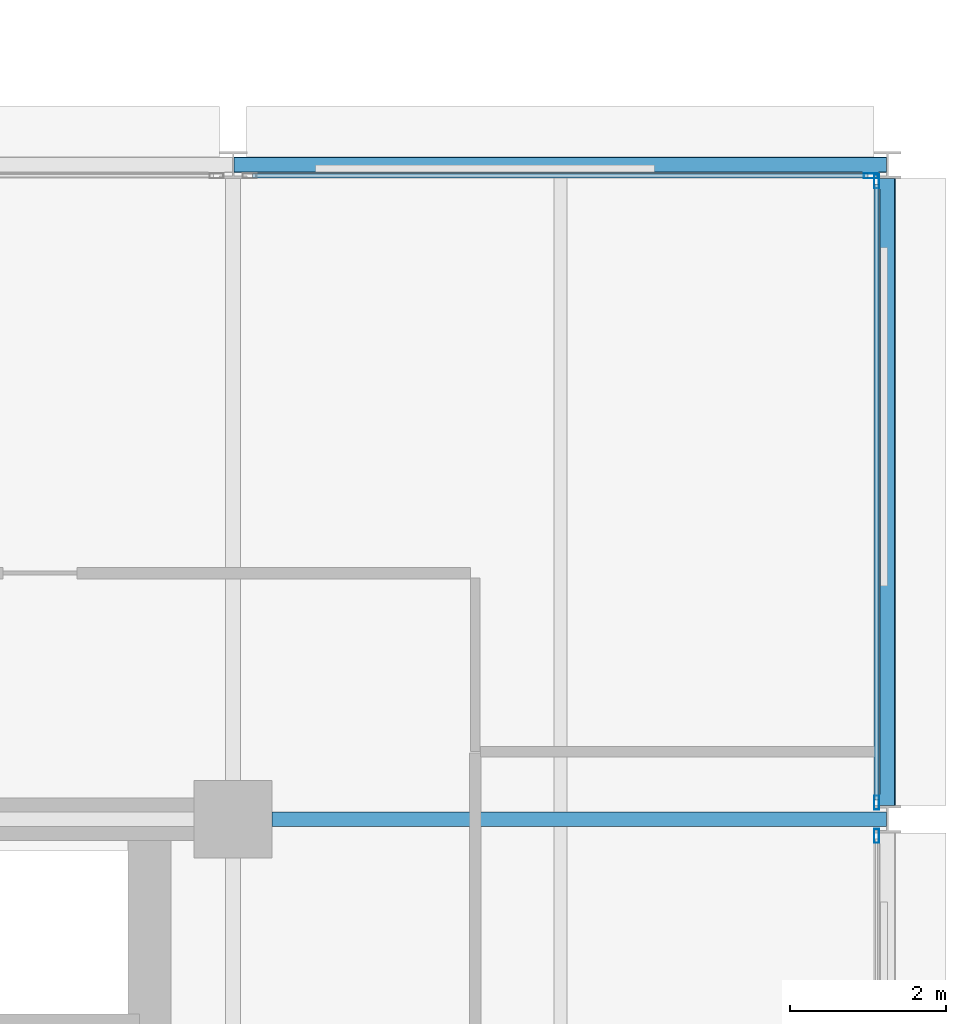
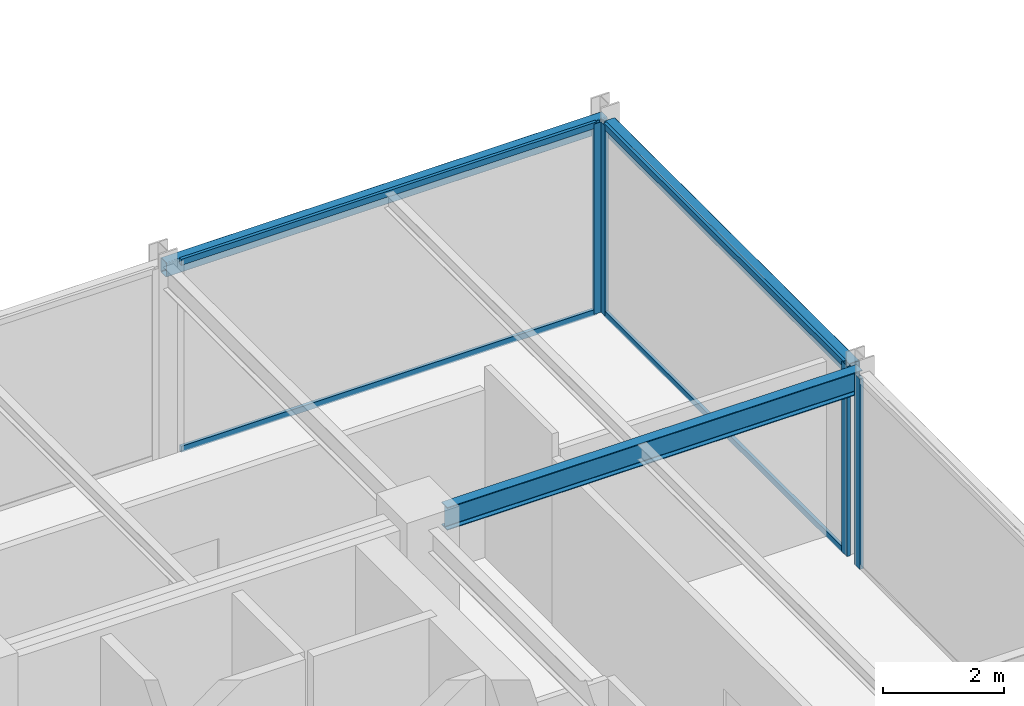
# One storey, part 16 of 29: 8 members, 3 beams, 3 elements without a shape of their own.
"""IFC4 building model written with IfcOpenShell, lengths in metres."""

from ifc_helpers import new_model, si_unit, direction, frame, origin, origin_2d, place, context, subcontext, project, spatial, hollow_rectangle, i_section, extrude, material, layer, layer_set, material_profile, profile_set, type_object, element, aggregate, save


model = new_model("IFC4")

# Units and contexts
model_context = context("Model", 3, precision=1e-05, world=origin(), true_north=direction((0.0, 1.0)))
body_context = subcontext(model_context, "Body", "Model", "MODEL_VIEW")
ifc_project = project(units=[si_unit("LENGTHUNIT", "METRE"), si_unit("AREAUNIT", "SQUARE_METRE"), si_unit("VOLUMEUNIT", "CUBIC_METRE"), si_unit("PLANEANGLEUNIT", "RADIAN"), si_unit("MASSUNIT", "GRAM", prefix="KILO")], contexts=[model_context])

# Site, building, storey
site_placement = place(None, origin())
site = spatial("IfcSite", under=ifc_project, at=site_placement, CompositionType="ELEMENT")
building_placement = place(site_placement, origin())
building = spatial("IfcBuilding", under=site, at=building_placement, Name="Nerrivon Quay Data Exchange", CompositionType="ELEMENT")
storey_placement = place(building_placement, frame((0.0, 0.0, 204.199951171875)))
storey = spatial("IfcBuildingStorey", under=building, at=storey_placement, Name="L48", CompositionType="ELEMENT", Elevation=204.199951171875)

# Beams
ifc_material_1 = material(Name="Steel Grade 350", Category="steel")
ifc_material_profile_1 = material_profile(ifc_material_1, i_section(OverallWidth=0.19091796875, OverallDepth=0.4599609375, WebThickness=0.010009765625, FlangeThickness=0.01611328125, FilletRadius=0.011474609375, at=origin_2d()), Name="460UB82.1")
ifc_profile_set_1 = profile_set([ifc_material_profile_1], Name="Steel Grade 350")
beam_type_1 = type_object("IfcBeamType", Name="BM-G5-460UB82", PredefinedType="BEAM", material=ifc_profile_set_1)
beam_1_placement = place(storey_placement, frame((34.10009765625, 16.800048828125, 3.594970703125), z_axis=(1.0, 0.0, 0.0), x_axis=(0.0, 1.0, 0.0)))
element("IfcBeam", 1, at=beam_1_placement, inside=storey, type_object=beam_type_1, Name="L48 EW Girder Y=16.8 (33.6..42.0)", PredefinedType="BEAM", context=body_context, shape_type="SweptSolid", body=[
    extrude(i_section(OverallWidth=0.19091796875, OverallDepth=0.4599609375, WebThickness=0.010009765625, FlangeThickness=0.01611328125, FilletRadius=0.011474609375, at=origin_2d()), origin(), (0.0, 0.0, 1.0), 7.889892578125),
])
ifc_material_2 = material(Name="Steel Grade C350L0 (350 MPa)", Category="steel")
ifc_material_profile_2 = material_profile(ifc_material_2, hollow_rectangle(XDim=0.199951171875, YDim=0.300048828125, WallThickness=0.012451171875, InnerFilletRadius=0.018798828125, OuterFilletRadius=0.03125, at=origin_2d()), Name="300x200x12.5RHS")
ifc_profile_set_2 = profile_set([ifc_material_profile_2], Name="Steel Grade C350L0 (350 MPa)")
beam_type_2 = type_object("IfcBeamType", Name="BM-SP3-300x200RHS", PredefinedType="SPANDREL", material=ifc_profile_set_2)
beam_2_placement = place(storey_placement, frame((33.610107421875, 25.199951171875, 3.675048828125), z_axis=(1.0, 0.0, 0.0), x_axis=(0.0, 1.0, 0.0)))
element("IfcBeam", 2, at=beam_2_placement, inside=storey, type_object=beam_type_2, Name="L48 EW Girder Y=25.2 (33.6..42.0)", PredefinedType="SPANDREL", context=body_context, shape_type="SweptSolid", body=[
    extrude(hollow_rectangle(XDim=0.199951171875, YDim=0.300048828125, WallThickness=0.012451171875, InnerFilletRadius=0.018798828125, OuterFilletRadius=0.03125, at=origin_2d()), origin(), (0.0, 0.0, 1.0), 8.3798828125),
])
beam_3_placement = place(storey_placement, frame((42.0, 16.97509765625, 3.675048828125), z_axis=(0.0, 1.0, 0.0), x_axis=(-1.0, 0.0, 0.0)))
element("IfcBeam", 3, at=beam_3_placement, inside=storey, type_object=beam_type_2, Name="L48 NS Girder X=42.0 (16.8..25.2)", PredefinedType="SPANDREL", context=body_context, shape_type="SweptSolid", body=[
    extrude(hollow_rectangle(XDim=0.199951171875, YDim=0.300048828125, WallThickness=0.012451171875, InnerFilletRadius=0.018798828125, OuterFilletRadius=0.03125, at=origin_2d()), origin(), (0.0, 0.0, 1.0), 8.0498046875),
])

# Curtain wall, member
ifc_material_3 = material(Name="Anodised aluminium 6063-T6", Category="aluminium")
ifc_layer = layer(ifc_material_3, 0.195068359375)
ifc_layer_set = layer_set([ifc_layer], Name="Anodised aluminium 6063-T6")
curtain_wall_type = type_object("IfcCurtainWallType", Name="CW-SYS-06", PredefinedType="NOTDEFINED", material=ifc_layer_set)
curtain_wall_1_placement = place(storey_placement, origin())
curtain_wall_1 = element("IfcCurtainWall", 4, at=curtain_wall_1_placement, inside=storey, type_object=curtain_wall_type, Name="L48 Unitised Curtain Wall 17", PredefinedType="NOTDEFINED")
ifc_material_profile_3 = material_profile(ifc_material_3, hollow_rectangle(XDim=0.06494140625, YDim=0.179931640625, WallThickness=0.00341796875, at=origin_2d()), Name="ALU-MULL-180x65")
ifc_profile_set_3 = profile_set([ifc_material_profile_3], Name="Anodised aluminium 6063-T6")
member_type_1 = type_object("IfcMemberType", Name="CWM-180x65", PredefinedType="MULLION", material=ifc_profile_set_3)
member_1_placement = place(storey_placement, frame((41.78759765625, 25.06005859375, 0.0), z_axis=(0.0, 0.0, 1.0), x_axis=(0.0, 1.0, 0.0)))
member_1 = element("IfcMember", 5, at=member_1_placement, type_object=member_type_1, Name="CW06 mullion 2", PredefinedType="MULLION", context=body_context, shape_type="SweptSolid", body=[
    extrude(hollow_rectangle(XDim=0.06494140625, YDim=0.179931640625, WallThickness=0.00341796875, at=origin_2d()), origin(), (0.0, 0.0, 1.0), 3.824951171875),
])

# Curtain wall, members
curtain_wall_2_placement = place(storey_placement, origin())
curtain_wall_2 = element("IfcCurtainWall", 6, at=curtain_wall_2_placement, inside=storey, type_object=curtain_wall_type, Name="L48 Unitised Curtain Wall 18", PredefinedType="NOTDEFINED")
member_2_placement = place(storey_placement, frame((41.860107421875, 24.987548828125, 0.0), z_axis=(0.0, 0.0, 1.0), x_axis=(1.0, 0.0, 0.0)))
member_2 = element("IfcMember", 7, at=member_2_placement, type_object=member_type_1, Name="CW06 mullion 1", PredefinedType="MULLION", context=body_context, shape_type="SweptSolid", body=[
    extrude(hollow_rectangle(XDim=0.06494140625, YDim=0.179931640625, WallThickness=0.00341796875, at=origin_2d()), origin(), (0.0, 0.0, 1.0), 3.824951171875),
])
member_3_placement = place(storey_placement, frame((41.860107421875, 17.012451171875, 0.0), z_axis=(0.0, 0.0, 1.0), x_axis=(1.0, 0.0, 0.0)))
member_3 = element("IfcMember", 8, at=member_3_placement, type_object=member_type_1, Name="CW06 mullion 2", PredefinedType="MULLION", context=body_context, shape_type="SweptSolid", body=[
    extrude(hollow_rectangle(XDim=0.06494140625, YDim=0.179931640625, WallThickness=0.00341796875, at=origin_2d()), origin(), (0.0, 0.0, 1.0), 3.824951171875),
])

# Curtain wall, member
curtain_wall_3_placement = place(storey_placement, origin())
curtain_wall_3 = element("IfcCurtainWall", 9, at=curtain_wall_3_placement, inside=storey, type_object=curtain_wall_type, Name="L48 Unitised Curtain Wall 19", PredefinedType="NOTDEFINED")
member_4_placement = place(storey_placement, frame((41.860107421875, 16.58740234375, 0.0), z_axis=(0.0, 0.0, 1.0), x_axis=(1.0, 0.0, 0.0)))
member_4 = element("IfcMember", 10, at=member_4_placement, type_object=member_type_1, Name="CW06 mullion 1", PredefinedType="MULLION", context=body_context, shape_type="SweptSolid", body=[
    extrude(hollow_rectangle(XDim=0.06494140625, YDim=0.179931640625, WallThickness=0.00341796875, at=origin_2d()), origin(), (0.0, 0.0, 1.0), 3.824951171875),
])
aggregate(curtain_wall_3, [member_4])

# Member
ifc_material_profile_4 = material_profile(ifc_material_3, hollow_rectangle(XDim=0.06005859375, YDim=0.1201171875, WallThickness=0.003173828125, at=origin_2d()), Name="ALU-TRAN-120x60")
ifc_profile_set_4 = profile_set([ifc_material_profile_4], Name="Anodised aluminium 6063-T6")
member_type_2 = type_object("IfcMemberType", Name="CWT-120x60", PredefinedType="USERDEFINED", material=ifc_profile_set_4)
member_5_placement = place(storey_placement, frame((33.85009765625, 25.06005859375, 0.032470703125), z_axis=(1.0, 0.0, 0.0), x_axis=(0.0, 1.0, 0.0)))
member_5 = element("IfcMember", 11, at=member_5_placement, type_object=member_type_2, Name="CW06 transom 1.1", ObjectType="TRANSOM", PredefinedType="USERDEFINED", context=body_context, shape_type="SweptSolid", body=[
    extrude(hollow_rectangle(XDim=0.06005859375, YDim=0.1201171875, WallThickness=0.003173828125, at=origin_2d()), origin(), (0.0, 0.0, 1.0), 7.89990234375),
])

member_6_placement = place(storey_placement, frame((33.85009765625, 25.06005859375, 3.79248046875), z_axis=(1.0, 0.0, 0.0), x_axis=(0.0, 1.0, 0.0)))
member_6 = element("IfcMember", 12, at=member_6_placement, type_object=member_type_2, Name="CW06 transom 1.2", ObjectType="TRANSOM", PredefinedType="USERDEFINED", context=body_context, shape_type="SweptSolid", body=[
    extrude(hollow_rectangle(XDim=0.06005859375, YDim=0.1201171875, WallThickness=0.003173828125, at=origin_2d()), origin(), (0.0, 0.0, 1.0), 7.89990234375),
])

aggregate(curtain_wall_1, [member_1, member_5, member_6])

member_7_placement = place(storey_placement, frame((41.860107421875, 24.949951171875, 0.032470703125), z_axis=(0.0, -1.0, 0.0), x_axis=(1.0, 0.0, 0.0)))
member_7 = element("IfcMember", 13, at=member_7_placement, type_object=member_type_2, Name="CW06 transom 1.1", ObjectType="TRANSOM", PredefinedType="USERDEFINED", context=body_context, shape_type="SweptSolid", body=[
    extrude(hollow_rectangle(XDim=0.06005859375, YDim=0.1201171875, WallThickness=0.003173828125, at=origin_2d()), origin(), (0.0, 0.0, 1.0), 7.89990234375),
])

member_8_placement = place(storey_placement, frame((41.860107421875, 24.949951171875, 3.79248046875), z_axis=(0.0, -1.0, 0.0), x_axis=(1.0, 0.0, 0.0)))
member_8 = element("IfcMember", 14, at=member_8_placement, type_object=member_type_2, Name="CW06 transom 1.2", ObjectType="TRANSOM", PredefinedType="USERDEFINED", context=body_context, shape_type="SweptSolid", body=[
    extrude(hollow_rectangle(XDim=0.06005859375, YDim=0.1201171875, WallThickness=0.003173828125, at=origin_2d()), origin(), (0.0, 0.0, 1.0), 7.89990234375),
])

aggregate(curtain_wall_2, [member_2, member_3, member_7, member_8])

save(model, "model.ifc")
